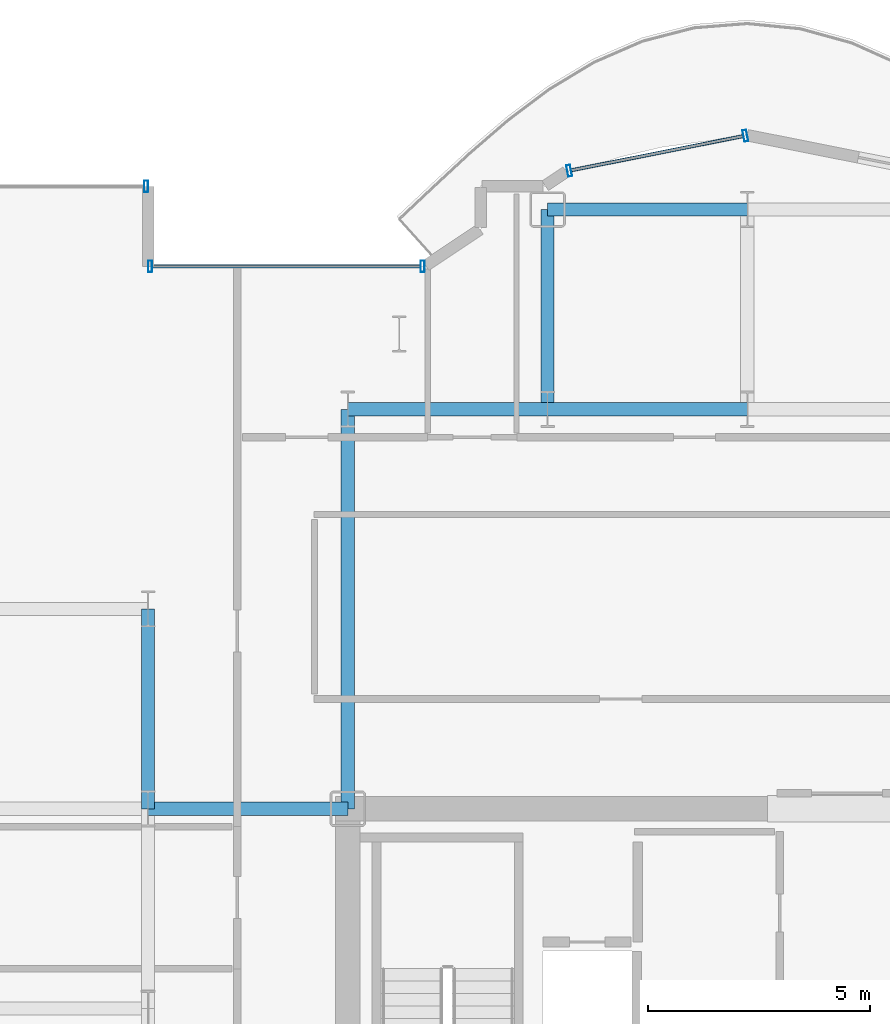
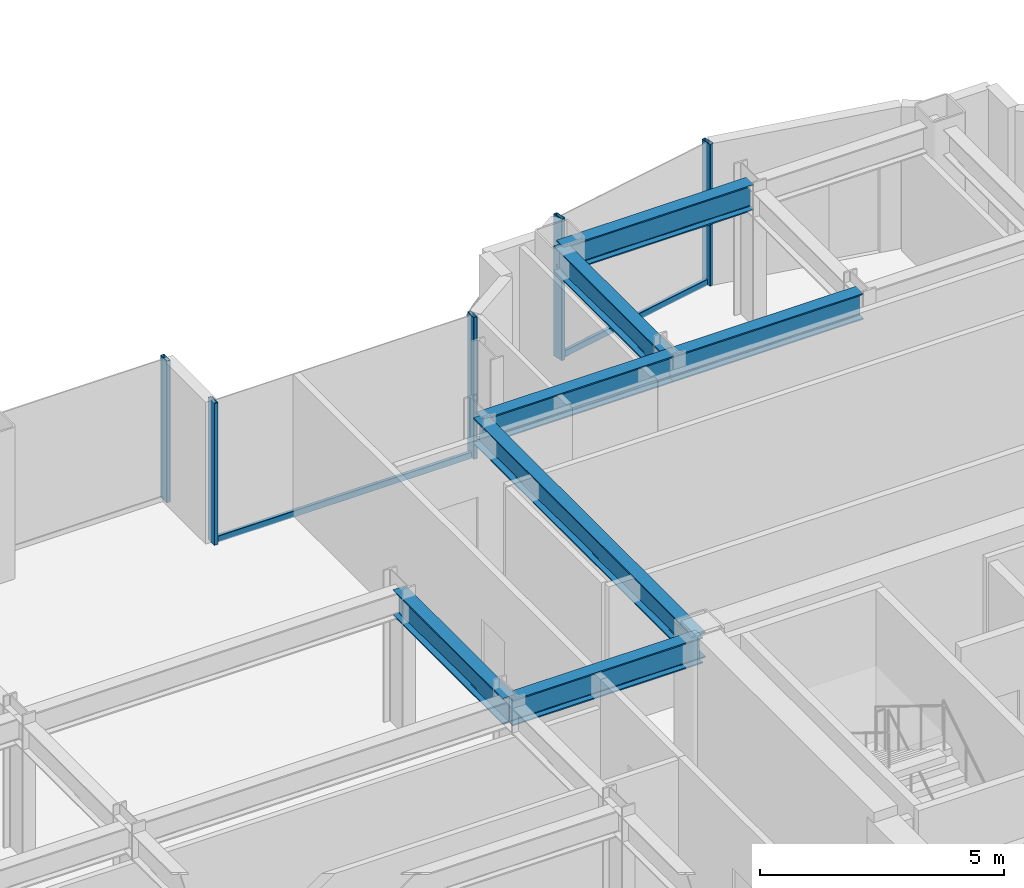
# One storey, part 11 of 22: 7 beams, 7 members, 3 elements without a shape of their own.
"""IFC4 building model written with IfcOpenShell, lengths in metres."""

from ifc_helpers import new_model, si_unit, direction, frame, origin, origin_2d, place, context, subcontext, project, spatial, hollow_rectangle, i_section, extrude, source, transform, mapped, material, layer, layer_set, material_profile, profile_set, type_object, element, aggregate, save


model = new_model("IFC4")

# Units and contexts
model_context = context("Model", 3, precision=1e-05, world=origin(), true_north=direction((0.0, 1.0)))
body_context = subcontext(model_context, "Body", "Model", "MODEL_VIEW")
ifc_project = project(units=[si_unit("LENGTHUNIT", "METRE"), si_unit("AREAUNIT", "SQUARE_METRE"), si_unit("VOLUMEUNIT", "CUBIC_METRE"), si_unit("PLANEANGLEUNIT", "RADIAN"), si_unit("MASSUNIT", "GRAM", prefix="KILO")], contexts=[model_context])

# Site, building, storey
site_placement = place(None, origin())
site = spatial("IfcSite", under=ifc_project, at=site_placement, CompositionType="ELEMENT")
building_placement = place(site_placement, origin())
building = spatial("IfcBuilding", under=site, at=building_placement, Name="Nefas-Gora Pilgrimage Tower", CompositionType="ELEMENT")
storey_placement = place(building_placement, frame((0.0, 0.0, 186.800048828125)))
storey = spatial("IfcBuildingStorey", under=building, at=storey_placement, Name="L46", CompositionType="ELEMENT", Elevation=186.800048828125)

# Beams
ifc_material_1 = material(Name="Steel S355", Category="steel")
ifc_material_profile_1 = material_profile(ifc_material_1, i_section(OverallWidth=0.300048828125, OverallDepth=0.64990234375, WebThickness=0.01611328125, FlangeThickness=0.031005859375, FilletRadius=0.027099609375, at=origin_2d()), Name="HEB 650")
ifc_profile_set_1 = profile_set([ifc_material_profile_1], Name="Steel S355")
beam_type = type_object("IfcBeamType", Name="BM-GIR-HEB650", PredefinedType="BEAM", material=ifc_profile_set_1)
shared_shape_1 = source(origin(), body_context, "Body", "SweptSolid", [
    extrude(i_section(OverallWidth=0.300048828125, OverallDepth=0.64990234375, WebThickness=0.01611328125, FlangeThickness=0.031005859375, FilletRadius=0.027099609375, at=origin_2d()), origin(), (0.0, 0.0, 1.0), 9.0),
])
beam_placement = place(storey_placement, frame((-11.25, 9.0, 3.224853515625), z_axis=(0.0, 1.0, 0.0), x_axis=(-1.0, 0.0, 0.0)))
element("IfcBeam", 1, at=beam_placement, inside=storey, type_object=beam_type, Name="L46 G-03 beam", PredefinedType="BEAM", context=body_context, shape_type="MappedRepresentation", body=[
    mapped(shared_shape_1, transform((0.0, 0.0, 0.0), x_axis=(1.0, 0.0, 0.0), y_axis=(0.0, 1.0, 0.0), z_axis=(0.0, 0.0, 1.0), scale=1.0)),
])
shared_shape_2 = source(origin(), body_context, "Body", "SweptSolid", [
    extrude(i_section(OverallWidth=0.300048828125, OverallDepth=0.64990234375, WebThickness=0.01611328125, FlangeThickness=0.031005859375, FilletRadius=0.027099609375, at=origin_2d()), origin(), (0.0, 0.0, 1.0), 4.5),
])
for number, where, z_axis, x_axis, name in (
    (2, (-15.75, 9.0, 3.224853515625), (0.0, 1.0, 0.0), (-1.0, 0.0, 0.0), "L46 G-03 beam"),
    (3, (-15.75, 9.0, 3.224853515625), (1.0, 0.0, 0.0), (0.0, 1.0, 0.0), "L46 G-03 beam"),
    (4, (-11.25, 18.0, 3.224853515625), (1.0, 0.0, 0.0), (0.0, 1.0, 0.0), "L46 G-03 beam"),
    (5, (-6.75, 18.0, 3.224853515625), (0.0, 1.0, 0.0), (-1.0, 0.0, 0.0), "L46 G-03 beam"),
    (6, (-6.75, 18.0, 3.224853515625), (1.0, 0.0, 0.0), (0.0, 1.0, 0.0), "L46 G-03 beam"),
    (7, (-6.75, 22.5, 3.224853515625), (1.0, 0.0, 0.0), (0.0, 1.0, 0.0), "L46 G-03 beam"),
):
    element("IfcBeam", number, at=place(storey_placement, frame(where, z_axis=z_axis, x_axis=x_axis)), inside=storey, type_object=beam_type, Name=name, PredefinedType="BEAM", context=body_context, shape_type="MappedRepresentation", body=[
        mapped(shared_shape_2, transform((0.0, 0.0, 0.0), x_axis=(1.0, 0.0, 0.0), y_axis=(0.0, 1.0, 0.0), z_axis=(0.0, 0.0, 1.0), scale=1.0)),
    ])

# Curtain wall, members
ifc_material_2 = material(Name="Dark ceramic-fritted solar-control aluminium-glass curtain wall", Category="aluminium")
ifc_layer_1 = layer(ifc_material_2, 0.219970703125)
ifc_layer_set_1 = layer_set([ifc_layer_1], Name="Dark ceramic-fritted solar-control aluminium-glass curtain wall")
curtain_wall_type_1 = type_object("IfcCurtainWallType", Name="CW-SYS-5", PredefinedType="NOTDEFINED", material=ifc_layer_set_1)
curtain_wall_1_placement = place(storey_placement, origin())
curtain_wall_1 = element("IfcCurtainWall", 8, at=curtain_wall_1_placement, inside=storey, type_object=curtain_wall_type_1, Name="L46 Unitised Curtain Wall CW5", PredefinedType="NOTDEFINED")
ifc_material_3 = material(Name="Anodised architectural aluminium", Category="aluminium")
ifc_material_profile_2 = material_profile(ifc_material_3, hollow_rectangle(XDim=0.090087890625, YDim=0.260009765625, WallThickness=0.006103515625, InnerFilletRadius=0.006103515625, OuterFilletRadius=0.011962890625, at=origin_2d()), Name="ALU MULLION 90x260")
ifc_profile_set_2 = profile_set([ifc_material_profile_2], Name="Anodised architectural aluminium")
member_type_1 = type_object("IfcMemberType", Name="CWM-MUL-5", PredefinedType="MULLION", material=ifc_profile_set_2)
shared_shape_3 = source(origin(), body_context, "Body", "SweptSolid", [
    extrude(hollow_rectangle(XDim=0.090087890625, YDim=0.260009765625, WallThickness=0.006103515625, InnerFilletRadius=0.006103515625, OuterFilletRadius=0.011962890625, at=origin_2d()), origin(), (0.0, 0.0, 1.0), 3.550048828125),
])
member_1_placement = place(storey_placement, frame((-2.294189453125, 24.16357421875, 0.0), z_axis=(0.0, 0.0, 1.0), x_axis=(-0.980782896852, -0.195102304554, 0.0)))
member_1 = element("IfcMember", 9, at=member_1_placement, type_object=member_type_1, Name="CW5 Mullion 1", PredefinedType="MULLION", context=body_context, shape_type="MappedRepresentation", body=[
    mapped(shared_shape_3, transform((0.0, 0.0, 0.0), x_axis=(1.0, 0.0, 0.0), y_axis=(0.0, 1.0, 0.0), z_axis=(0.0, 0.0, 1.0), scale=1.0)),
])
member_2_placement = place(storey_placement, frame((-6.26318359375, 23.3740234375, 0.0), z_axis=(0.0, 0.0, 1.0), x_axis=(-0.980782896852, -0.195102304554, 0.0)))
member_2 = element("IfcMember", 10, at=member_2_placement, type_object=member_type_1, Name="CW5 Mullion 2", PredefinedType="MULLION", context=body_context, shape_type="MappedRepresentation", body=[
    mapped(shared_shape_3, transform((0.0, 0.0, 0.0), x_axis=(1.0, 0.0, 0.0), y_axis=(0.0, 1.0, 0.0), z_axis=(0.0, 0.0, 1.0), scale=1.0)),
])

curtain_wall_2_placement = place(storey_placement, origin())
curtain_wall_2 = element("IfcCurtainWall", 11, at=curtain_wall_2_placement, inside=storey, type_object=curtain_wall_type_1, Name="L46 Unitised Curtain Wall CW5", PredefinedType="NOTDEFINED")
member_3_placement = place(storey_placement, frame((-9.56298828125, 21.219970703125, 0.0), z_axis=(0.0, 0.0, 1.0), x_axis=(-1.0, 0.0, 0.0)))
member_3 = element("IfcMember", 12, at=member_3_placement, type_object=member_type_1, Name="CW5 Mullion 1", PredefinedType="MULLION", context=body_context, shape_type="MappedRepresentation", body=[
    mapped(shared_shape_3, transform((0.0, 0.0, 0.0), x_axis=(1.0, 0.0, 0.0), y_axis=(0.0, 1.0, 0.0), z_axis=(0.0, 0.0, 1.0), scale=1.0)),
])
member_4_placement = place(storey_placement, frame((-15.705078125, 21.219970703125, 0.0), z_axis=(0.0, 0.0, 1.0), x_axis=(-1.0, 0.0, 0.0)))
member_4 = element("IfcMember", 13, at=member_4_placement, type_object=member_type_1, Name="CW5 Mullion 2", PredefinedType="MULLION", context=body_context, shape_type="MappedRepresentation", body=[
    mapped(shared_shape_3, transform((0.0, 0.0, 0.0), x_axis=(1.0, 0.0, 0.0), y_axis=(0.0, 1.0, 0.0), z_axis=(0.0, 0.0, 1.0), scale=1.0)),
])
ifc_material_profile_3 = material_profile(ifc_material_3, hollow_rectangle(XDim=0.080078125, YDim=0.159912109375, WallThickness=0.00439453125, InnerFilletRadius=0.00439453125, OuterFilletRadius=0.009033203125, at=origin_2d()), Name="ALU TRANSOM 80x160")
ifc_profile_set_3 = profile_set([ifc_material_profile_3], Name="Anodised architectural aluminium")
member_type_2 = type_object("IfcMemberType", Name="CWM-TRN-5", PredefinedType="USERDEFINED", material=ifc_profile_set_3)
shared_shape_4 = source(origin(), body_context, "Body", "SweptSolid", [
    extrude(hollow_rectangle(XDim=0.080078125, YDim=0.159912109375, WallThickness=0.00439453125, InnerFilletRadius=0.00439453125, OuterFilletRadius=0.009033203125, at=origin_2d()), origin(), (0.0, 0.0, 1.0), 6.052001953125),
])
member_5_placement = place(storey_placement, frame((-9.60791015625, 21.219970703125, 0.050048828125), z_axis=(-1.0, 0.0, 0.0), x_axis=(0.0, -1.0, 0.0)))
member_5 = element("IfcMember", 14, at=member_5_placement, type_object=member_type_2, Name="CW5 Spandrel Transom", ObjectType="TRANSOM", PredefinedType="USERDEFINED", context=body_context, shape_type="MappedRepresentation", body=[
    mapped(shared_shape_4, transform((0.0, 0.0, 0.0), x_axis=(1.0, 0.0, 0.0), y_axis=(0.0, 1.0, 0.0), z_axis=(0.0, 0.0, 1.0), scale=1.0)),
])
aggregate(curtain_wall_2, [member_3, member_4, member_5])

# Member
shared_shape_5 = source(origin(), body_context, "Body", "SweptSolid", [
    extrude(hollow_rectangle(XDim=0.080078125, YDim=0.159912109375, WallThickness=0.00439453125, InnerFilletRadius=0.00439453125, OuterFilletRadius=0.009033203125, at=origin_2d()), origin(), (0.0, 0.0, 1.0), 3.95654296875),
])
member_6_placement = place(storey_placement, frame((-2.33837890625, 24.15478515625, 0.050048828125), z_axis=(-0.980781880918, -0.195107411605, 0.0), x_axis=(0.195107411605, -0.980781880918, 0.0)))
member_6 = element("IfcMember", 15, at=member_6_placement, type_object=member_type_2, Name="CW5 Spandrel Transom", ObjectType="TRANSOM", PredefinedType="USERDEFINED", context=body_context, shape_type="MappedRepresentation", body=[
    mapped(shared_shape_5, transform((0.0, 0.0, 0.0), x_axis=(1.0, 0.0, 0.0), y_axis=(0.0, 1.0, 0.0), z_axis=(0.0, 0.0, 1.0), scale=1.0)),
])

aggregate(curtain_wall_1, [member_1, member_2, member_6])

# Curtain wall, member
ifc_layer_2 = layer(ifc_material_2, 0.219970703125)
ifc_layer_set_2 = layer_set([ifc_layer_2], Name="Dark ceramic-fritted solar-control aluminium-glass curtain wall")
curtain_wall_type_2 = type_object("IfcCurtainWallType", Name="CW-SYS-3", PredefinedType="NOTDEFINED", material=ifc_layer_set_2)
curtain_wall_3_placement = place(storey_placement, origin())
curtain_wall_3 = element("IfcCurtainWall", 16, at=curtain_wall_3_placement, inside=storey, type_object=curtain_wall_type_2, Name="L46 Unitised Curtain Wall CW3", PredefinedType="NOTDEFINED")
ifc_material_profile_4 = material_profile(ifc_material_3, hollow_rectangle(XDim=0.090087890625, YDim=0.260009765625, WallThickness=0.006103515625, InnerFilletRadius=0.006103515625, OuterFilletRadius=0.011962890625, at=origin_2d()), Name="ALU MULLION 90x260")
ifc_profile_set_4 = profile_set([ifc_material_profile_4], Name="Anodised architectural aluminium")
member_type_3 = type_object("IfcMemberType", Name="CWM-MUL-3", PredefinedType="MULLION", material=ifc_profile_set_4)
shared_shape_6 = source(origin(), body_context, "Body", "SweptSolid", [
    extrude(hollow_rectangle(XDim=0.090087890625, YDim=0.260009765625, WallThickness=0.006103515625, InnerFilletRadius=0.006103515625, OuterFilletRadius=0.011962890625, at=origin_2d()), origin(), (0.0, 0.0, 1.0), 3.550048828125),
])
member_7_placement = place(storey_placement, frame((-15.794921875, 23.02001953125, 0.0), z_axis=(0.0, 0.0, 1.0), x_axis=(-1.0, 0.0, 0.0)))
member_7 = element("IfcMember", 17, at=member_7_placement, type_object=member_type_3, Name="CW3 Mullion 1", PredefinedType="MULLION", context=body_context, shape_type="MappedRepresentation", body=[
    mapped(shared_shape_6, transform((0.0, 0.0, 0.0), x_axis=(1.0, 0.0, 0.0), y_axis=(0.0, 1.0, 0.0), z_axis=(0.0, 0.0, 1.0), scale=1.0)),
])
aggregate(curtain_wall_3, [member_7])

save(model, "model.ifc")
